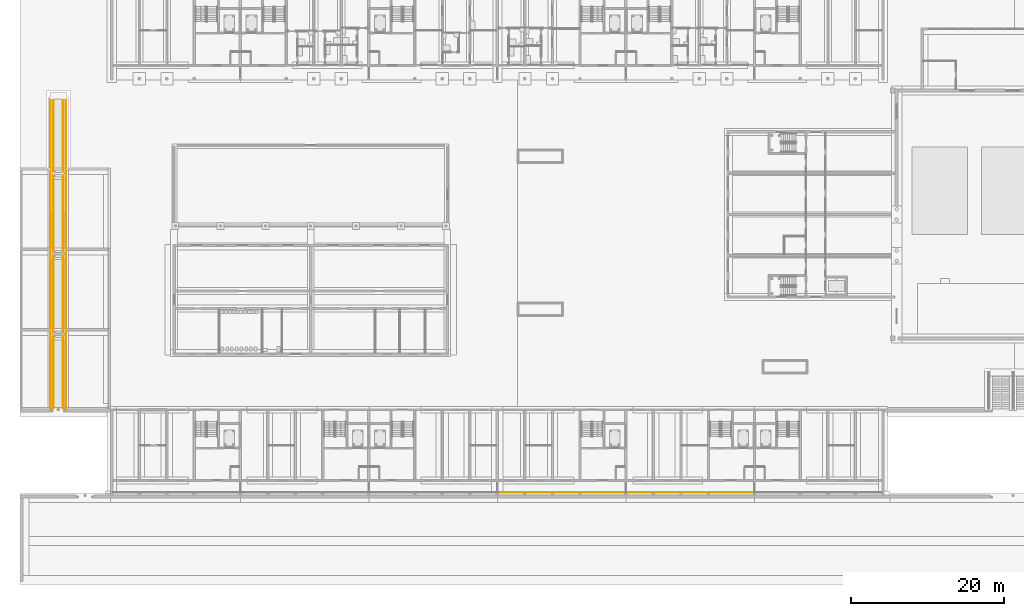
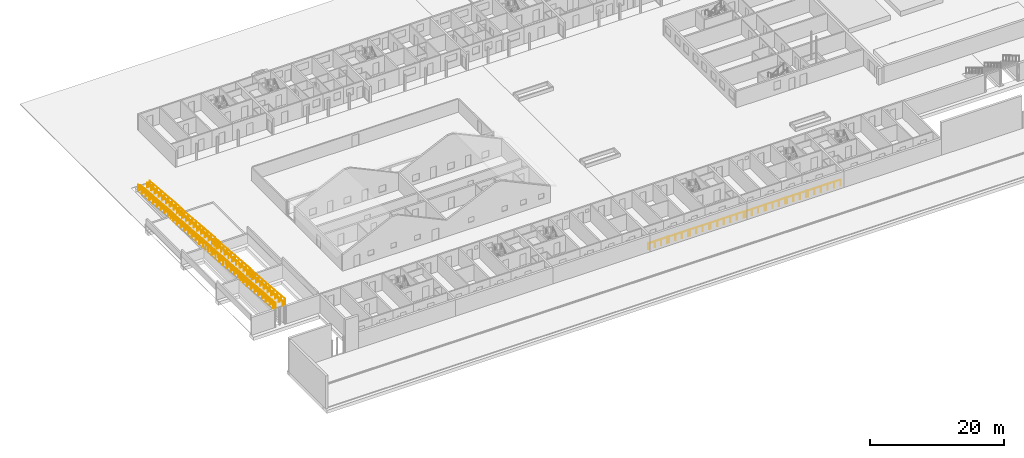
# One storey, part 89 of 112: 12 railings.
"""IFC4 building model written with IfcOpenShell, lengths in metres."""

from ifc_helpers import new_model, si_unit, direction, frame, origin, origin_2d, place, context, subcontext, project, spatial, circle, extrude, material, type_object, element, save


model = new_model("IFC4")

# Units and contexts
model_context = context("Model", 3, precision=1e-05, world=origin(), true_north=direction((0.0, 1.0)))
body_context = subcontext(model_context, "Body", "Model", "MODEL_VIEW")
ifc_project = project(units=[si_unit("LENGTHUNIT", "METRE"), si_unit("AREAUNIT", "SQUARE_METRE"), si_unit("VOLUMEUNIT", "CUBIC_METRE"), si_unit("PLANEANGLEUNIT", "RADIAN"), si_unit("MASSUNIT", "GRAM", prefix="KILO")], contexts=[model_context])

# Site, building, storey
site_placement = place(None, origin())
site = spatial("IfcSite", under=ifc_project, at=site_placement, CompositionType="ELEMENT")
building_placement = place(site_placement, origin())
building = spatial("IfcBuilding", under=site, at=building_placement, Name="Ridgestep Commons", CompositionType="ELEMENT")
storey_placement = place(building_placement, origin())
storey = spatial("IfcBuildingStorey", under=building, at=storey_placement, Name="L00", CompositionType="ELEMENT", Elevation=0.0)

# Railings
ifc_material_1 = material(Name="Structural steel S355JR", Category="steel")
railing_type_1 = type_object("IfcRailingType", Name="Community guard 1100", PredefinedType="GUARDRAIL", material=ifc_material_1)
railing_1_placement = place(storey_placement, frame((4.0, 63.5, 0.0)))
element("IfcRailing", 1, at=railing_1_placement, inside=storey, type_object=railing_type_1, Name="Ramp guard", PredefinedType="GUARDRAIL", context=body_context, shape_type="SweptSolid", body=[
    extrude(circle(Radius=0.02392578125, at=origin_2d()), frame((0.0, 0.0, 1.076171875), z_axis=(0.0, -0.996545758245, 0.083045479854), x_axis=(1.0, 0.0, 0.0)), (0.0, 0.0, 1.0), 9.03125),
    extrude(circle(Radius=0.02392578125, at=origin_2d()), frame((0.0, -9.0, 1.826171875), z_axis=(0.0, -1.0, 0.0), x_axis=(1.0, 0.0, 0.0)), (0.0, 0.0, 1.0), 1.5),
    extrude(circle(Radius=0.02392578125, at=origin_2d()), frame((0.0, -10.5, 1.826171875), z_axis=(0.0, -0.996545758245, 0.083045479854), x_axis=(1.0, 0.0, 0.0)), (0.0, 0.0, 1.0), 9.03125),
    extrude(circle(Radius=0.02392578125, at=origin_2d()), frame((0.0, -19.5, 2.576171875), z_axis=(0.0, -1.0, 0.0), x_axis=(1.0, 0.0, 0.0)), (0.0, 0.0, 1.0), 1.5),
    extrude(circle(Radius=0.02392578125, at=origin_2d()), frame((0.0, -21.0, 2.576171875), z_axis=(0.0, -0.996545758245, 0.083045479854), x_axis=(1.0, 0.0, 0.0)), (0.0, 0.0, 1.0), 9.03125),
    extrude(circle(Radius=0.02392578125, at=origin_2d()), frame((0.0, -30.0, 3.326171875), z_axis=(0.0, -1.0, 0.0), x_axis=(1.0, 0.0, 0.0)), (0.0, 0.0, 1.0), 1.5),
    extrude(circle(Radius=0.02392578125, at=origin_2d()), frame((0.0, -31.5, 3.326171875), z_axis=(0.0, -0.996545758245, 0.083045479854), x_axis=(1.0, 0.0, 0.0)), (0.0, 0.0, 1.0), 9.03125),
    extrude(circle(Radius=0.02099609375, at=origin_2d()), origin(), (0.0, 0.0, 1.0), 1.052001953125),
    extrude(circle(Radius=0.02099609375, at=origin_2d()), frame((0.0, -1.125, 0.09375)), (0.0, 0.0, 1.0), 1.052001953125),
    extrude(circle(Radius=0.02099609375, at=origin_2d()), frame((0.0, -2.25, 0.1875)), (0.0, 0.0, 1.0), 1.052001953125),
    extrude(circle(Radius=0.02099609375, at=origin_2d()), frame((0.0, -3.375, 0.28125)), (0.0, 0.0, 1.0), 1.052001953125),
    extrude(circle(Radius=0.02099609375, at=origin_2d()), frame((0.0, -4.5, 0.375)), (0.0, 0.0, 1.0), 1.052001953125),
    extrude(circle(Radius=0.02099609375, at=origin_2d()), frame((0.0, -5.625, 0.46875)), (0.0, 0.0, 1.0), 1.052001953125),
    extrude(circle(Radius=0.02099609375, at=origin_2d()), frame((0.0, -6.75, 0.5625)), (0.0, 0.0, 1.0), 1.052001953125),
    extrude(circle(Radius=0.02099609375, at=origin_2d()), frame((0.0, -7.875, 0.65625)), (0.0, 0.0, 1.0), 1.052001953125),
    extrude(circle(Radius=0.02099609375, at=origin_2d()), frame((0.0, -9.0, 0.75)), (0.0, 0.0, 1.0), 1.052001953125),
    extrude(circle(Radius=0.02099609375, at=origin_2d()), frame((0.0, -9.75, 0.75)), (0.0, 0.0, 1.0), 1.052001953125),
    extrude(circle(Radius=0.02099609375, at=origin_2d()), frame((0.0, -10.5, 0.75)), (0.0, 0.0, 1.0), 1.052001953125),
    extrude(circle(Radius=0.02099609375, at=origin_2d()), frame((0.0, -11.625, 0.84375)), (0.0, 0.0, 1.0), 1.052001953125),
    extrude(circle(Radius=0.02099609375, at=origin_2d()), frame((0.0, -12.75, 0.9375)), (0.0, 0.0, 1.0), 1.052001953125),
    extrude(circle(Radius=0.02099609375, at=origin_2d()), frame((0.0, -13.875, 1.03125)), (0.0, 0.0, 1.0), 1.052001953125),
    extrude(circle(Radius=0.02099609375, at=origin_2d()), frame((0.0, -15.0, 1.125)), (0.0, 0.0, 1.0), 1.052001953125),
    extrude(circle(Radius=0.02099609375, at=origin_2d()), frame((0.0, -16.125, 1.21875)), (0.0, 0.0, 1.0), 1.052001953125),
    extrude(circle(Radius=0.02099609375, at=origin_2d()), frame((0.0, -17.25, 1.3125)), (0.0, 0.0, 1.0), 1.052001953125),
    extrude(circle(Radius=0.02099609375, at=origin_2d()), frame((0.0, -18.375, 1.40625)), (0.0, 0.0, 1.0), 1.052001953125),
    extrude(circle(Radius=0.02099609375, at=origin_2d()), frame((0.0, -19.5, 1.5)), (0.0, 0.0, 1.0), 1.052001953125),
    extrude(circle(Radius=0.02099609375, at=origin_2d()), frame((0.0, -20.25, 1.5)), (0.0, 0.0, 1.0), 1.052001953125),
    extrude(circle(Radius=0.02099609375, at=origin_2d()), frame((0.0, -21.0, 1.5)), (0.0, 0.0, 1.0), 1.052001953125),
    extrude(circle(Radius=0.02099609375, at=origin_2d()), frame((0.0, -22.125, 1.59375)), (0.0, 0.0, 1.0), 1.052001953125),
    extrude(circle(Radius=0.02099609375, at=origin_2d()), frame((0.0, -23.25, 1.6875)), (0.0, 0.0, 1.0), 1.052001953125),
    extrude(circle(Radius=0.02099609375, at=origin_2d()), frame((0.0, -24.375, 1.78125)), (0.0, 0.0, 1.0), 1.052001953125),
    extrude(circle(Radius=0.02099609375, at=origin_2d()), frame((0.0, -25.5, 1.875)), (0.0, 0.0, 1.0), 1.052001953125),
    extrude(circle(Radius=0.02099609375, at=origin_2d()), frame((0.0, -26.625, 1.96875)), (0.0, 0.0, 1.0), 1.052001953125),
    extrude(circle(Radius=0.02099609375, at=origin_2d()), frame((0.0, -27.75, 2.0625)), (0.0, 0.0, 1.0), 1.052001953125),
    extrude(circle(Radius=0.02099609375, at=origin_2d()), frame((0.0, -28.875, 2.15625)), (0.0, 0.0, 1.0), 1.052001953125),
    extrude(circle(Radius=0.02099609375, at=origin_2d()), frame((0.0, -30.0, 2.25)), (0.0, 0.0, 1.0), 1.052001953125),
    extrude(circle(Radius=0.02099609375, at=origin_2d()), frame((0.0, -30.75, 2.25)), (0.0, 0.0, 1.0), 1.052001953125),
    extrude(circle(Radius=0.02099609375, at=origin_2d()), frame((0.0, -31.5, 2.25)), (0.0, 0.0, 1.0), 1.052001953125),
    extrude(circle(Radius=0.02099609375, at=origin_2d()), frame((0.0, -32.625, 2.34375)), (0.0, 0.0, 1.0), 1.052001953125),
    extrude(circle(Radius=0.02099609375, at=origin_2d()), frame((0.0, -33.75, 2.4375)), (0.0, 0.0, 1.0), 1.052001953125),
    extrude(circle(Radius=0.02099609375, at=origin_2d()), frame((0.0, -34.875, 2.53125)), (0.0, 0.0, 1.0), 1.052001953125),
    extrude(circle(Radius=0.02099609375, at=origin_2d()), frame((0.0, -36.0, 2.625)), (0.0, 0.0, 1.0), 1.052001953125),
    extrude(circle(Radius=0.02099609375, at=origin_2d()), frame((0.0, -37.125, 2.71875)), (0.0, 0.0, 1.0), 1.052001953125),
    extrude(circle(Radius=0.02099609375, at=origin_2d()), frame((0.0, -38.25, 2.8125)), (0.0, 0.0, 1.0), 1.052001953125),
    extrude(circle(Radius=0.02099609375, at=origin_2d()), frame((0.0, -39.375, 2.90625)), (0.0, 0.0, 1.0), 1.052001953125),
    extrude(circle(Radius=0.02099609375, at=origin_2d()), frame((0.0, -40.5, 3.0)), (0.0, 0.0, 1.0), 1.052001953125),
])
railing_2_placement = place(storey_placement, frame((6.0, 63.5, 0.0)))
element("IfcRailing", 2, at=railing_2_placement, inside=storey, type_object=railing_type_1, Name="Ramp guard", PredefinedType="GUARDRAIL", context=body_context, shape_type="SweptSolid", body=[
    extrude(circle(Radius=0.02392578125, at=origin_2d()), frame((0.0, 0.0, 1.076171875), z_axis=(0.0, -0.996545758245, 0.083045479854), x_axis=(1.0, 0.0, 0.0)), (0.0, 0.0, 1.0), 9.03125),
    extrude(circle(Radius=0.02392578125, at=origin_2d()), frame((0.0, -9.0, 1.826171875), z_axis=(0.0, -1.0, 0.0), x_axis=(1.0, 0.0, 0.0)), (0.0, 0.0, 1.0), 1.5),
    extrude(circle(Radius=0.02392578125, at=origin_2d()), frame((0.0, -10.5, 1.826171875), z_axis=(0.0, -0.996545758245, 0.083045479854), x_axis=(1.0, 0.0, 0.0)), (0.0, 0.0, 1.0), 9.03125),
    extrude(circle(Radius=0.02392578125, at=origin_2d()), frame((0.0, -19.5, 2.576171875), z_axis=(0.0, -1.0, 0.0), x_axis=(1.0, 0.0, 0.0)), (0.0, 0.0, 1.0), 1.5),
    extrude(circle(Radius=0.02392578125, at=origin_2d()), frame((0.0, -21.0, 2.576171875), z_axis=(0.0, -0.996545758245, 0.083045479854), x_axis=(1.0, 0.0, 0.0)), (0.0, 0.0, 1.0), 9.03125),
    extrude(circle(Radius=0.02392578125, at=origin_2d()), frame((0.0, -30.0, 3.326171875), z_axis=(0.0, -1.0, 0.0), x_axis=(1.0, 0.0, 0.0)), (0.0, 0.0, 1.0), 1.5),
    extrude(circle(Radius=0.02392578125, at=origin_2d()), frame((0.0, -31.5, 3.326171875), z_axis=(0.0, -0.996545758245, 0.083045479854), x_axis=(1.0, 0.0, 0.0)), (0.0, 0.0, 1.0), 9.03125),
    extrude(circle(Radius=0.02099609375, at=origin_2d()), origin(), (0.0, 0.0, 1.0), 1.052001953125),
    extrude(circle(Radius=0.02099609375, at=origin_2d()), frame((0.0, -1.125, 0.09375)), (0.0, 0.0, 1.0), 1.052001953125),
    extrude(circle(Radius=0.02099609375, at=origin_2d()), frame((0.0, -2.25, 0.1875)), (0.0, 0.0, 1.0), 1.052001953125),
    extrude(circle(Radius=0.02099609375, at=origin_2d()), frame((0.0, -3.375, 0.28125)), (0.0, 0.0, 1.0), 1.052001953125),
    extrude(circle(Radius=0.02099609375, at=origin_2d()), frame((0.0, -4.5, 0.375)), (0.0, 0.0, 1.0), 1.052001953125),
    extrude(circle(Radius=0.02099609375, at=origin_2d()), frame((0.0, -5.625, 0.46875)), (0.0, 0.0, 1.0), 1.052001953125),
    extrude(circle(Radius=0.02099609375, at=origin_2d()), frame((0.0, -6.75, 0.5625)), (0.0, 0.0, 1.0), 1.052001953125),
    extrude(circle(Radius=0.02099609375, at=origin_2d()), frame((0.0, -7.875, 0.65625)), (0.0, 0.0, 1.0), 1.052001953125),
    extrude(circle(Radius=0.02099609375, at=origin_2d()), frame((0.0, -9.0, 0.75)), (0.0, 0.0, 1.0), 1.052001953125),
    extrude(circle(Radius=0.02099609375, at=origin_2d()), frame((0.0, -9.75, 0.75)), (0.0, 0.0, 1.0), 1.052001953125),
    extrude(circle(Radius=0.02099609375, at=origin_2d()), frame((0.0, -10.5, 0.75)), (0.0, 0.0, 1.0), 1.052001953125),
    extrude(circle(Radius=0.02099609375, at=origin_2d()), frame((0.0, -11.625, 0.84375)), (0.0, 0.0, 1.0), 1.052001953125),
    extrude(circle(Radius=0.02099609375, at=origin_2d()), frame((0.0, -12.75, 0.9375)), (0.0, 0.0, 1.0), 1.052001953125),
    extrude(circle(Radius=0.02099609375, at=origin_2d()), frame((0.0, -13.875, 1.03125)), (0.0, 0.0, 1.0), 1.052001953125),
    extrude(circle(Radius=0.02099609375, at=origin_2d()), frame((0.0, -15.0, 1.125)), (0.0, 0.0, 1.0), 1.052001953125),
    extrude(circle(Radius=0.02099609375, at=origin_2d()), frame((0.0, -16.125, 1.21875)), (0.0, 0.0, 1.0), 1.052001953125),
    extrude(circle(Radius=0.02099609375, at=origin_2d()), frame((0.0, -17.25, 1.3125)), (0.0, 0.0, 1.0), 1.052001953125),
    extrude(circle(Radius=0.02099609375, at=origin_2d()), frame((0.0, -18.375, 1.40625)), (0.0, 0.0, 1.0), 1.052001953125),
    extrude(circle(Radius=0.02099609375, at=origin_2d()), frame((0.0, -19.5, 1.5)), (0.0, 0.0, 1.0), 1.052001953125),
    extrude(circle(Radius=0.02099609375, at=origin_2d()), frame((0.0, -20.25, 1.5)), (0.0, 0.0, 1.0), 1.052001953125),
    extrude(circle(Radius=0.02099609375, at=origin_2d()), frame((0.0, -21.0, 1.5)), (0.0, 0.0, 1.0), 1.052001953125),
    extrude(circle(Radius=0.02099609375, at=origin_2d()), frame((0.0, -22.125, 1.59375)), (0.0, 0.0, 1.0), 1.052001953125),
    extrude(circle(Radius=0.02099609375, at=origin_2d()), frame((0.0, -23.25, 1.6875)), (0.0, 0.0, 1.0), 1.052001953125),
    extrude(circle(Radius=0.02099609375, at=origin_2d()), frame((0.0, -24.375, 1.78125)), (0.0, 0.0, 1.0), 1.052001953125),
    extrude(circle(Radius=0.02099609375, at=origin_2d()), frame((0.0, -25.5, 1.875)), (0.0, 0.0, 1.0), 1.052001953125),
    extrude(circle(Radius=0.02099609375, at=origin_2d()), frame((0.0, -26.625, 1.96875)), (0.0, 0.0, 1.0), 1.052001953125),
    extrude(circle(Radius=0.02099609375, at=origin_2d()), frame((0.0, -27.75, 2.0625)), (0.0, 0.0, 1.0), 1.052001953125),
    extrude(circle(Radius=0.02099609375, at=origin_2d()), frame((0.0, -28.875, 2.15625)), (0.0, 0.0, 1.0), 1.052001953125),
    extrude(circle(Radius=0.02099609375, at=origin_2d()), frame((0.0, -30.0, 2.25)), (0.0, 0.0, 1.0), 1.052001953125),
    extrude(circle(Radius=0.02099609375, at=origin_2d()), frame((0.0, -30.75, 2.25)), (0.0, 0.0, 1.0), 1.052001953125),
    extrude(circle(Radius=0.02099609375, at=origin_2d()), frame((0.0, -31.5, 2.25)), (0.0, 0.0, 1.0), 1.052001953125),
    extrude(circle(Radius=0.02099609375, at=origin_2d()), frame((0.0, -32.625, 2.34375)), (0.0, 0.0, 1.0), 1.052001953125),
    extrude(circle(Radius=0.02099609375, at=origin_2d()), frame((0.0, -33.75, 2.4375)), (0.0, 0.0, 1.0), 1.052001953125),
    extrude(circle(Radius=0.02099609375, at=origin_2d()), frame((0.0, -34.875, 2.53125)), (0.0, 0.0, 1.0), 1.052001953125),
    extrude(circle(Radius=0.02099609375, at=origin_2d()), frame((0.0, -36.0, 2.625)), (0.0, 0.0, 1.0), 1.052001953125),
    extrude(circle(Radius=0.02099609375, at=origin_2d()), frame((0.0, -37.125, 2.71875)), (0.0, 0.0, 1.0), 1.052001953125),
    extrude(circle(Radius=0.02099609375, at=origin_2d()), frame((0.0, -38.25, 2.8125)), (0.0, 0.0, 1.0), 1.052001953125),
    extrude(circle(Radius=0.02099609375, at=origin_2d()), frame((0.0, -39.375, 2.90625)), (0.0, 0.0, 1.0), 1.052001953125),
    extrude(circle(Radius=0.02099609375, at=origin_2d()), frame((0.0, -40.5, 3.0)), (0.0, 0.0, 1.0), 1.052001953125),
])
ifc_material_2 = material(Name="Structural steel S355JR", Category="steel")
railing_type_2 = type_object("IfcRailingType", Name="Community stair handrail 900", PredefinedType="HANDRAIL", material=ifc_material_2)
railing_3_placement = place(storey_placement, frame((4.39990234375, 63.5, 0.0)))
element("IfcRailing", 3, at=railing_3_placement, inside=storey, type_object=railing_type_2, Name="Ramp handrail", PredefinedType="HANDRAIL", context=body_context, shape_type="SweptSolid", body=[
    extrude(circle(Radius=0.02392578125, at=origin_2d()), frame((0.0, 0.0, 0.8759765625), z_axis=(0.0, -0.996545758245, 0.083045479854), x_axis=(1.0, 0.0, 0.0)), (0.0, 0.0, 1.0), 9.03125),
    extrude(circle(Radius=0.02392578125, at=origin_2d()), frame((0.0, -9.0, 1.6259765625), z_axis=(0.0, -1.0, 0.0), x_axis=(1.0, 0.0, 0.0)), (0.0, 0.0, 1.0), 1.5),
    extrude(circle(Radius=0.02392578125, at=origin_2d()), frame((0.0, -10.5, 1.6259765625), z_axis=(0.0, -0.996545758245, 0.083045479854), x_axis=(1.0, 0.0, 0.0)), (0.0, 0.0, 1.0), 9.03125),
    extrude(circle(Radius=0.02392578125, at=origin_2d()), frame((0.0, -19.5, 2.3759765625), z_axis=(0.0, -1.0, 0.0), x_axis=(1.0, 0.0, 0.0)), (0.0, 0.0, 1.0), 1.5),
    extrude(circle(Radius=0.02392578125, at=origin_2d()), frame((0.0, -21.0, 2.3759765625), z_axis=(0.0, -0.996545758245, 0.083045479854), x_axis=(1.0, 0.0, 0.0)), (0.0, 0.0, 1.0), 9.03125),
    extrude(circle(Radius=0.02392578125, at=origin_2d()), frame((0.0, -30.0, 3.1259765625), z_axis=(0.0, -1.0, 0.0), x_axis=(1.0, 0.0, 0.0)), (0.0, 0.0, 1.0), 1.5),
    extrude(circle(Radius=0.02392578125, at=origin_2d()), frame((0.0, -31.5, 3.1259765625), z_axis=(0.0, -0.996545758245, 0.083045479854), x_axis=(1.0, 0.0, 0.0)), (0.0, 0.0, 1.0), 9.03125),
    extrude(circle(Radius=0.02099609375, at=origin_2d()), origin(), (0.0, 0.0, 1.0), 0.851806640625),
    extrude(circle(Radius=0.02099609375, at=origin_2d()), frame((0.0, -1.125, 0.09375)), (0.0, 0.0, 1.0), 0.851806640625),
    extrude(circle(Radius=0.02099609375, at=origin_2d()), frame((0.0, -2.25, 0.1875)), (0.0, 0.0, 1.0), 0.851806640625),
    extrude(circle(Radius=0.02099609375, at=origin_2d()), frame((0.0, -3.375, 0.28125)), (0.0, 0.0, 1.0), 0.851806640625),
    extrude(circle(Radius=0.02099609375, at=origin_2d()), frame((0.0, -4.5, 0.375)), (0.0, 0.0, 1.0), 0.851806640625),
    extrude(circle(Radius=0.02099609375, at=origin_2d()), frame((0.0, -5.625, 0.46875)), (0.0, 0.0, 1.0), 0.851806640625),
    extrude(circle(Radius=0.02099609375, at=origin_2d()), frame((0.0, -6.75, 0.5625)), (0.0, 0.0, 1.0), 0.851806640625),
    extrude(circle(Radius=0.02099609375, at=origin_2d()), frame((0.0, -7.875, 0.65625)), (0.0, 0.0, 1.0), 0.851806640625),
    extrude(circle(Radius=0.02099609375, at=origin_2d()), frame((0.0, -9.0, 0.75)), (0.0, 0.0, 1.0), 0.851806640625),
    extrude(circle(Radius=0.02099609375, at=origin_2d()), frame((0.0, -9.75, 0.75)), (0.0, 0.0, 1.0), 0.851806640625),
    extrude(circle(Radius=0.02099609375, at=origin_2d()), frame((0.0, -10.5, 0.75)), (0.0, 0.0, 1.0), 0.851806640625),
    extrude(circle(Radius=0.02099609375, at=origin_2d()), frame((0.0, -11.625, 0.84375)), (0.0, 0.0, 1.0), 0.851806640625),
    extrude(circle(Radius=0.02099609375, at=origin_2d()), frame((0.0, -12.75, 0.9375)), (0.0, 0.0, 1.0), 0.851806640625),
    extrude(circle(Radius=0.02099609375, at=origin_2d()), frame((0.0, -13.875, 1.03125)), (0.0, 0.0, 1.0), 0.851806640625),
    extrude(circle(Radius=0.02099609375, at=origin_2d()), frame((0.0, -15.0, 1.125)), (0.0, 0.0, 1.0), 0.851806640625),
    extrude(circle(Radius=0.02099609375, at=origin_2d()), frame((0.0, -16.125, 1.21875)), (0.0, 0.0, 1.0), 0.851806640625),
    extrude(circle(Radius=0.02099609375, at=origin_2d()), frame((0.0, -17.25, 1.3125)), (0.0, 0.0, 1.0), 0.851806640625),
    extrude(circle(Radius=0.02099609375, at=origin_2d()), frame((0.0, -18.375, 1.40625)), (0.0, 0.0, 1.0), 0.851806640625),
    extrude(circle(Radius=0.02099609375, at=origin_2d()), frame((0.0, -19.5, 1.5)), (0.0, 0.0, 1.0), 0.851806640625),
    extrude(circle(Radius=0.02099609375, at=origin_2d()), frame((0.0, -20.25, 1.5)), (0.0, 0.0, 1.0), 0.851806640625),
    extrude(circle(Radius=0.02099609375, at=origin_2d()), frame((0.0, -21.0, 1.5)), (0.0, 0.0, 1.0), 0.851806640625),
    extrude(circle(Radius=0.02099609375, at=origin_2d()), frame((0.0, -22.125, 1.59375)), (0.0, 0.0, 1.0), 0.851806640625),
    extrude(circle(Radius=0.02099609375, at=origin_2d()), frame((0.0, -23.25, 1.6875)), (0.0, 0.0, 1.0), 0.851806640625),
    extrude(circle(Radius=0.02099609375, at=origin_2d()), frame((0.0, -24.375, 1.78125)), (0.0, 0.0, 1.0), 0.851806640625),
    extrude(circle(Radius=0.02099609375, at=origin_2d()), frame((0.0, -25.5, 1.875)), (0.0, 0.0, 1.0), 0.851806640625),
    extrude(circle(Radius=0.02099609375, at=origin_2d()), frame((0.0, -26.625, 1.96875)), (0.0, 0.0, 1.0), 0.851806640625),
    extrude(circle(Radius=0.02099609375, at=origin_2d()), frame((0.0, -27.75, 2.0625)), (0.0, 0.0, 1.0), 0.851806640625),
    extrude(circle(Radius=0.02099609375, at=origin_2d()), frame((0.0, -28.875, 2.15625)), (0.0, 0.0, 1.0), 0.851806640625),
    extrude(circle(Radius=0.02099609375, at=origin_2d()), frame((0.0, -30.0, 2.25)), (0.0, 0.0, 1.0), 0.851806640625),
    extrude(circle(Radius=0.02099609375, at=origin_2d()), frame((0.0, -30.75, 2.25)), (0.0, 0.0, 1.0), 0.851806640625),
    extrude(circle(Radius=0.02099609375, at=origin_2d()), frame((0.0, -31.5, 2.25)), (0.0, 0.0, 1.0), 0.851806640625),
    extrude(circle(Radius=0.02099609375, at=origin_2d()), frame((0.0, -32.625, 2.34375)), (0.0, 0.0, 1.0), 0.851806640625),
    extrude(circle(Radius=0.02099609375, at=origin_2d()), frame((0.0, -33.75, 2.4375)), (0.0, 0.0, 1.0), 0.851806640625),
    extrude(circle(Radius=0.02099609375, at=origin_2d()), frame((0.0, -34.875, 2.53125)), (0.0, 0.0, 1.0), 0.851806640625),
    extrude(circle(Radius=0.02099609375, at=origin_2d()), frame((0.0, -36.0, 2.625)), (0.0, 0.0, 1.0), 0.851806640625),
    extrude(circle(Radius=0.02099609375, at=origin_2d()), frame((0.0, -37.125, 2.71875)), (0.0, 0.0, 1.0), 0.851806640625),
    extrude(circle(Radius=0.02099609375, at=origin_2d()), frame((0.0, -38.25, 2.8125)), (0.0, 0.0, 1.0), 0.851806640625),
    extrude(circle(Radius=0.02099609375, at=origin_2d()), frame((0.0, -39.375, 2.90625)), (0.0, 0.0, 1.0), 0.851806640625),
    extrude(circle(Radius=0.02099609375, at=origin_2d()), frame((0.0, -40.5, 3.0)), (0.0, 0.0, 1.0), 0.851806640625),
])
railing_4_placement = place(storey_placement, frame((5.60009765625, 63.5, 0.0)))
element("IfcRailing", 4, at=railing_4_placement, inside=storey, type_object=railing_type_2, Name="Ramp handrail", PredefinedType="HANDRAIL", context=body_context, shape_type="SweptSolid", body=[
    extrude(circle(Radius=0.02392578125, at=origin_2d()), frame((0.0, 0.0, 0.8759765625), z_axis=(0.0, -0.996545758245, 0.083045479854), x_axis=(1.0, 0.0, 0.0)), (0.0, 0.0, 1.0), 9.03125),
    extrude(circle(Radius=0.02392578125, at=origin_2d()), frame((0.0, -9.0, 1.6259765625), z_axis=(0.0, -1.0, 0.0), x_axis=(1.0, 0.0, 0.0)), (0.0, 0.0, 1.0), 1.5),
    extrude(circle(Radius=0.02392578125, at=origin_2d()), frame((0.0, -10.5, 1.6259765625), z_axis=(0.0, -0.996545758245, 0.083045479854), x_axis=(1.0, 0.0, 0.0)), (0.0, 0.0, 1.0), 9.03125),
    extrude(circle(Radius=0.02392578125, at=origin_2d()), frame((0.0, -19.5, 2.3759765625), z_axis=(0.0, -1.0, 0.0), x_axis=(1.0, 0.0, 0.0)), (0.0, 0.0, 1.0), 1.5),
    extrude(circle(Radius=0.02392578125, at=origin_2d()), frame((0.0, -21.0, 2.3759765625), z_axis=(0.0, -0.996545758245, 0.083045479854), x_axis=(1.0, 0.0, 0.0)), (0.0, 0.0, 1.0), 9.03125),
    extrude(circle(Radius=0.02392578125, at=origin_2d()), frame((0.0, -30.0, 3.1259765625), z_axis=(0.0, -1.0, 0.0), x_axis=(1.0, 0.0, 0.0)), (0.0, 0.0, 1.0), 1.5),
    extrude(circle(Radius=0.02392578125, at=origin_2d()), frame((0.0, -31.5, 3.1259765625), z_axis=(0.0, -0.996545758245, 0.083045479854), x_axis=(1.0, 0.0, 0.0)), (0.0, 0.0, 1.0), 9.03125),
    extrude(circle(Radius=0.02099609375, at=origin_2d()), origin(), (0.0, 0.0, 1.0), 0.851806640625),
    extrude(circle(Radius=0.02099609375, at=origin_2d()), frame((0.0, -1.125, 0.09375)), (0.0, 0.0, 1.0), 0.851806640625),
    extrude(circle(Radius=0.02099609375, at=origin_2d()), frame((0.0, -2.25, 0.1875)), (0.0, 0.0, 1.0), 0.851806640625),
    extrude(circle(Radius=0.02099609375, at=origin_2d()), frame((0.0, -3.375, 0.28125)), (0.0, 0.0, 1.0), 0.851806640625),
    extrude(circle(Radius=0.02099609375, at=origin_2d()), frame((0.0, -4.5, 0.375)), (0.0, 0.0, 1.0), 0.851806640625),
    extrude(circle(Radius=0.02099609375, at=origin_2d()), frame((0.0, -5.625, 0.46875)), (0.0, 0.0, 1.0), 0.851806640625),
    extrude(circle(Radius=0.02099609375, at=origin_2d()), frame((0.0, -6.75, 0.5625)), (0.0, 0.0, 1.0), 0.851806640625),
    extrude(circle(Radius=0.02099609375, at=origin_2d()), frame((0.0, -7.875, 0.65625)), (0.0, 0.0, 1.0), 0.851806640625),
    extrude(circle(Radius=0.02099609375, at=origin_2d()), frame((0.0, -9.0, 0.75)), (0.0, 0.0, 1.0), 0.851806640625),
    extrude(circle(Radius=0.02099609375, at=origin_2d()), frame((0.0, -9.75, 0.75)), (0.0, 0.0, 1.0), 0.851806640625),
    extrude(circle(Radius=0.02099609375, at=origin_2d()), frame((0.0, -10.5, 0.75)), (0.0, 0.0, 1.0), 0.851806640625),
    extrude(circle(Radius=0.02099609375, at=origin_2d()), frame((0.0, -11.625, 0.84375)), (0.0, 0.0, 1.0), 0.851806640625),
    extrude(circle(Radius=0.02099609375, at=origin_2d()), frame((0.0, -12.75, 0.9375)), (0.0, 0.0, 1.0), 0.851806640625),
    extrude(circle(Radius=0.02099609375, at=origin_2d()), frame((0.0, -13.875, 1.03125)), (0.0, 0.0, 1.0), 0.851806640625),
    extrude(circle(Radius=0.02099609375, at=origin_2d()), frame((0.0, -15.0, 1.125)), (0.0, 0.0, 1.0), 0.851806640625),
    extrude(circle(Radius=0.02099609375, at=origin_2d()), frame((0.0, -16.125, 1.21875)), (0.0, 0.0, 1.0), 0.851806640625),
    extrude(circle(Radius=0.02099609375, at=origin_2d()), frame((0.0, -17.25, 1.3125)), (0.0, 0.0, 1.0), 0.851806640625),
    extrude(circle(Radius=0.02099609375, at=origin_2d()), frame((0.0, -18.375, 1.40625)), (0.0, 0.0, 1.0), 0.851806640625),
    extrude(circle(Radius=0.02099609375, at=origin_2d()), frame((0.0, -19.5, 1.5)), (0.0, 0.0, 1.0), 0.851806640625),
    extrude(circle(Radius=0.02099609375, at=origin_2d()), frame((0.0, -20.25, 1.5)), (0.0, 0.0, 1.0), 0.851806640625),
    extrude(circle(Radius=0.02099609375, at=origin_2d()), frame((0.0, -21.0, 1.5)), (0.0, 0.0, 1.0), 0.851806640625),
    extrude(circle(Radius=0.02099609375, at=origin_2d()), frame((0.0, -22.125, 1.59375)), (0.0, 0.0, 1.0), 0.851806640625),
    extrude(circle(Radius=0.02099609375, at=origin_2d()), frame((0.0, -23.25, 1.6875)), (0.0, 0.0, 1.0), 0.851806640625),
    extrude(circle(Radius=0.02099609375, at=origin_2d()), frame((0.0, -24.375, 1.78125)), (0.0, 0.0, 1.0), 0.851806640625),
    extrude(circle(Radius=0.02099609375, at=origin_2d()), frame((0.0, -25.5, 1.875)), (0.0, 0.0, 1.0), 0.851806640625),
    extrude(circle(Radius=0.02099609375, at=origin_2d()), frame((0.0, -26.625, 1.96875)), (0.0, 0.0, 1.0), 0.851806640625),
    extrude(circle(Radius=0.02099609375, at=origin_2d()), frame((0.0, -27.75, 2.0625)), (0.0, 0.0, 1.0), 0.851806640625),
    extrude(circle(Radius=0.02099609375, at=origin_2d()), frame((0.0, -28.875, 2.15625)), (0.0, 0.0, 1.0), 0.851806640625),
    extrude(circle(Radius=0.02099609375, at=origin_2d()), frame((0.0, -30.0, 2.25)), (0.0, 0.0, 1.0), 0.851806640625),
    extrude(circle(Radius=0.02099609375, at=origin_2d()), frame((0.0, -30.75, 2.25)), (0.0, 0.0, 1.0), 0.851806640625),
    extrude(circle(Radius=0.02099609375, at=origin_2d()), frame((0.0, -31.5, 2.25)), (0.0, 0.0, 1.0), 0.851806640625),
    extrude(circle(Radius=0.02099609375, at=origin_2d()), frame((0.0, -32.625, 2.34375)), (0.0, 0.0, 1.0), 0.851806640625),
    extrude(circle(Radius=0.02099609375, at=origin_2d()), frame((0.0, -33.75, 2.4375)), (0.0, 0.0, 1.0), 0.851806640625),
    extrude(circle(Radius=0.02099609375, at=origin_2d()), frame((0.0, -34.875, 2.53125)), (0.0, 0.0, 1.0), 0.851806640625),
    extrude(circle(Radius=0.02099609375, at=origin_2d()), frame((0.0, -36.0, 2.625)), (0.0, 0.0, 1.0), 0.851806640625),
    extrude(circle(Radius=0.02099609375, at=origin_2d()), frame((0.0, -37.125, 2.71875)), (0.0, 0.0, 1.0), 0.851806640625),
    extrude(circle(Radius=0.02099609375, at=origin_2d()), frame((0.0, -38.25, 2.8125)), (0.0, 0.0, 1.0), 0.851806640625),
    extrude(circle(Radius=0.02099609375, at=origin_2d()), frame((0.0, -39.375, 2.90625)), (0.0, 0.0, 1.0), 0.851806640625),
    extrude(circle(Radius=0.02099609375, at=origin_2d()), frame((0.0, -40.5, 3.0)), (0.0, 0.0, 1.0), 0.851806640625),
])
ifc_material_3 = material(Name="Structural steel S355JR galvanised", Category="steel")
railing_type_3 = type_object("IfcRailingType", Name="Passage guard 1100", PredefinedType="GUARDRAIL", material=ifc_material_3)
railing_5_placement = place(storey_placement, frame((62.571044921875, 12.050048828125, 0.0)))
element("IfcRailing", 5, at=railing_5_placement, inside=storey, type_object=railing_type_3, Name="Passage guard A 00.13", PredefinedType="GUARDRAIL", context=body_context, shape_type="SweptSolid", body=[
    extrude(circle(Radius=0.02392578125, at=origin_2d()), frame((0.0, 0.0, 1.076171875), z_axis=(1.0, 0.0, 0.0), x_axis=(0.0, 1.0, 0.0)), (0.0, 0.0, 1.0), 3.282958984375),
    extrude(circle(Radius=0.02099609375, at=origin_2d()), origin(), (0.0, 0.0, 1.0), 1.052001953125),
    extrude(circle(Radius=0.02099609375, at=origin_2d()), frame((1.09423828125, 0.0, 0.0)), (0.0, 0.0, 1.0), 1.052001953125),
    extrude(circle(Radius=0.02099609375, at=origin_2d()), frame((2.188720703125, 0.0, 0.0)), (0.0, 0.0, 1.0), 1.052001953125),
    extrude(circle(Radius=0.02099609375, at=origin_2d()), frame((3.282958984375, 0.0, 0.0)), (0.0, 0.0, 1.0), 1.052001953125),
])
railing_6_placement = place(storey_placement, frame((66.14599609375, 12.050048828125, 0.0)))
element("IfcRailing", 6, at=railing_6_placement, inside=storey, type_object=railing_type_3, Name="Passage guard A 00.14", PredefinedType="GUARDRAIL", context=body_context, shape_type="SweptSolid", body=[
    extrude(circle(Radius=0.02392578125, at=origin_2d()), frame((0.0, 0.0, 1.076171875), z_axis=(1.0, 0.0, 0.0), x_axis=(0.0, 1.0, 0.0)), (0.0, 0.0, 1.0), 3.30810546875),
    extrude(circle(Radius=0.02099609375, at=origin_2d()), origin(), (0.0, 0.0, 1.0), 1.052001953125),
    extrude(circle(Radius=0.02099609375, at=origin_2d()), frame((1.102783203125, 0.0, 0.0)), (0.0, 0.0, 1.0), 1.052001953125),
    extrude(circle(Radius=0.02099609375, at=origin_2d()), frame((2.205322265625, 0.0, 0.0)), (0.0, 0.0, 1.0), 1.052001953125),
    extrude(circle(Radius=0.02099609375, at=origin_2d()), frame((3.30810546875, 0.0, 0.0)), (0.0, 0.0, 1.0), 1.052001953125),
])
railing_7_placement = place(storey_placement, frame((69.74609375, 12.050048828125, 0.0)))
element("IfcRailing", 7, at=railing_7_placement, inside=storey, type_object=railing_type_3, Name="Passage guard A 00.15", PredefinedType="GUARDRAIL", context=body_context, shape_type="SweptSolid", body=[
    extrude(circle(Radius=0.02392578125, at=origin_2d()), frame((0.0, 0.0, 1.076171875), z_axis=(1.0, 0.0, 0.0), x_axis=(0.0, 1.0, 0.0)), (0.0, 0.0, 1.0), 3.307861328125),
    extrude(circle(Radius=0.02099609375, at=origin_2d()), origin(), (0.0, 0.0, 1.0), 1.052001953125),
    extrude(circle(Radius=0.02099609375, at=origin_2d()), frame((1.1025390625, 0.0, 0.0)), (0.0, 0.0, 1.0), 1.052001953125),
    extrude(circle(Radius=0.02099609375, at=origin_2d()), frame((2.205322265625, 0.0, 0.0)), (0.0, 0.0, 1.0), 1.052001953125),
    extrude(circle(Radius=0.02099609375, at=origin_2d()), frame((3.307861328125, 0.0, 0.0)), (0.0, 0.0, 1.0), 1.052001953125),
])
railing_8_placement = place(storey_placement, frame((73.345947265625, 12.050048828125, 0.0)))
element("IfcRailing", 8, at=railing_8_placement, inside=storey, type_object=railing_type_3, Name="Passage guard A 00.16", PredefinedType="GUARDRAIL", context=body_context, shape_type="SweptSolid", body=[
    extrude(circle(Radius=0.02392578125, at=origin_2d()), frame((0.0, 0.0, 1.076171875), z_axis=(1.0, 0.0, 0.0), x_axis=(0.0, 1.0, 0.0)), (0.0, 0.0, 1.0), 5.68310546875),
    extrude(circle(Radius=0.02099609375, at=origin_2d()), origin(), (0.0, 0.0, 1.0), 1.052001953125),
    extrude(circle(Radius=0.02099609375, at=origin_2d()), frame((1.13671875, 0.0, 0.0)), (0.0, 0.0, 1.0), 1.052001953125),
    extrude(circle(Radius=0.02099609375, at=origin_2d()), frame((2.273193359375, 0.0, 0.0)), (0.0, 0.0, 1.0), 1.052001953125),
    extrude(circle(Radius=0.02099609375, at=origin_2d()), frame((3.409912109375, 0.0, 0.0)), (0.0, 0.0, 1.0), 1.052001953125),
    extrude(circle(Radius=0.02099609375, at=origin_2d()), frame((4.54638671875, 0.0, 0.0)), (0.0, 0.0, 1.0), 1.052001953125),
    extrude(circle(Radius=0.02099609375, at=origin_2d()), frame((5.68310546875, 0.0, 0.0)), (0.0, 0.0, 1.0), 1.052001953125),
])
railing_9_placement = place(storey_placement, frame((79.37109375, 12.050048828125, 0.0)))
element("IfcRailing", 9, at=railing_9_placement, inside=storey, type_object=railing_type_3, Name="Passage guard A 00.17", PredefinedType="GUARDRAIL", context=body_context, shape_type="SweptSolid", body=[
    extrude(circle(Radius=0.02392578125, at=origin_2d()), frame((0.0, 0.0, 1.076171875), z_axis=(1.0, 0.0, 0.0), x_axis=(0.0, 1.0, 0.0)), (0.0, 0.0, 1.0), 3.282958984375),
    extrude(circle(Radius=0.02099609375, at=origin_2d()), origin(), (0.0, 0.0, 1.0), 1.052001953125),
    extrude(circle(Radius=0.02099609375, at=origin_2d()), frame((1.09423828125, 0.0, 0.0)), (0.0, 0.0, 1.0), 1.052001953125),
    extrude(circle(Radius=0.02099609375, at=origin_2d()), frame((2.188720703125, 0.0, 0.0)), (0.0, 0.0, 1.0), 1.052001953125),
    extrude(circle(Radius=0.02099609375, at=origin_2d()), frame((3.282958984375, 0.0, 0.0)), (0.0, 0.0, 1.0), 1.052001953125),
])
railing_10_placement = place(storey_placement, frame((82.946044921875, 12.050048828125, 0.0)))
element("IfcRailing", 10, at=railing_10_placement, inside=storey, type_object=railing_type_3, Name="Passage guard A 00.18", PredefinedType="GUARDRAIL", context=body_context, shape_type="SweptSolid", body=[
    extrude(circle(Radius=0.02392578125, at=origin_2d()), frame((0.0, 0.0, 1.076171875), z_axis=(1.0, 0.0, 0.0), x_axis=(0.0, 1.0, 0.0)), (0.0, 0.0, 1.0), 3.307861328125),
    extrude(circle(Radius=0.02099609375, at=origin_2d()), origin(), (0.0, 0.0, 1.0), 1.052001953125),
    extrude(circle(Radius=0.02099609375, at=origin_2d()), frame((1.1025390625, 0.0, 0.0)), (0.0, 0.0, 1.0), 1.052001953125),
    extrude(circle(Radius=0.02099609375, at=origin_2d()), frame((2.205322265625, 0.0, 0.0)), (0.0, 0.0, 1.0), 1.052001953125),
    extrude(circle(Radius=0.02099609375, at=origin_2d()), frame((3.307861328125, 0.0, 0.0)), (0.0, 0.0, 1.0), 1.052001953125),
])
railing_11_placement = place(storey_placement, frame((86.5458984375, 12.050048828125, 0.0)))
element("IfcRailing", 11, at=railing_11_placement, inside=storey, type_object=railing_type_3, Name="Passage guard A 00.19", PredefinedType="GUARDRAIL", context=body_context, shape_type="SweptSolid", body=[
    extrude(circle(Radius=0.02392578125, at=origin_2d()), frame((0.0, 0.0, 1.076171875), z_axis=(1.0, 0.0, 0.0), x_axis=(0.0, 1.0, 0.0)), (0.0, 0.0, 1.0), 3.30810546875),
    extrude(circle(Radius=0.02099609375, at=origin_2d()), origin(), (0.0, 0.0, 1.0), 1.052001953125),
    extrude(circle(Radius=0.02099609375, at=origin_2d()), frame((1.102783203125, 0.0, 0.0)), (0.0, 0.0, 1.0), 1.052001953125),
    extrude(circle(Radius=0.02099609375, at=origin_2d()), frame((2.205322265625, 0.0, 0.0)), (0.0, 0.0, 1.0), 1.052001953125),
    extrude(circle(Radius=0.02099609375, at=origin_2d()), frame((3.30810546875, 0.0, 0.0)), (0.0, 0.0, 1.0), 1.052001953125),
])
railing_12_placement = place(storey_placement, frame((90.14599609375, 12.050048828125, 0.0)))
element("IfcRailing", 12, at=railing_12_placement, inside=storey, type_object=railing_type_3, Name="Passage guard A 00.20", PredefinedType="GUARDRAIL", context=body_context, shape_type="SweptSolid", body=[
    extrude(circle(Radius=0.02392578125, at=origin_2d()), frame((0.0, 0.0, 1.076171875), z_axis=(1.0, 0.0, 0.0), x_axis=(0.0, 1.0, 0.0)), (0.0, 0.0, 1.0), 5.68310546875),
    extrude(circle(Radius=0.02099609375, at=origin_2d()), origin(), (0.0, 0.0, 1.0), 1.052001953125),
    extrude(circle(Radius=0.02099609375, at=origin_2d()), frame((1.13671875, 0.0, 0.0)), (0.0, 0.0, 1.0), 1.052001953125),
    extrude(circle(Radius=0.02099609375, at=origin_2d()), frame((2.273193359375, 0.0, 0.0)), (0.0, 0.0, 1.0), 1.052001953125),
    extrude(circle(Radius=0.02099609375, at=origin_2d()), frame((3.409912109375, 0.0, 0.0)), (0.0, 0.0, 1.0), 1.052001953125),
    extrude(circle(Radius=0.02099609375, at=origin_2d()), frame((4.54638671875, 0.0, 0.0)), (0.0, 0.0, 1.0), 1.052001953125),
    extrude(circle(Radius=0.02099609375, at=origin_2d()), frame((5.68310546875, 0.0, 0.0)), (0.0, 0.0, 1.0), 1.052001953125),
])

save(model, "model.ifc")
